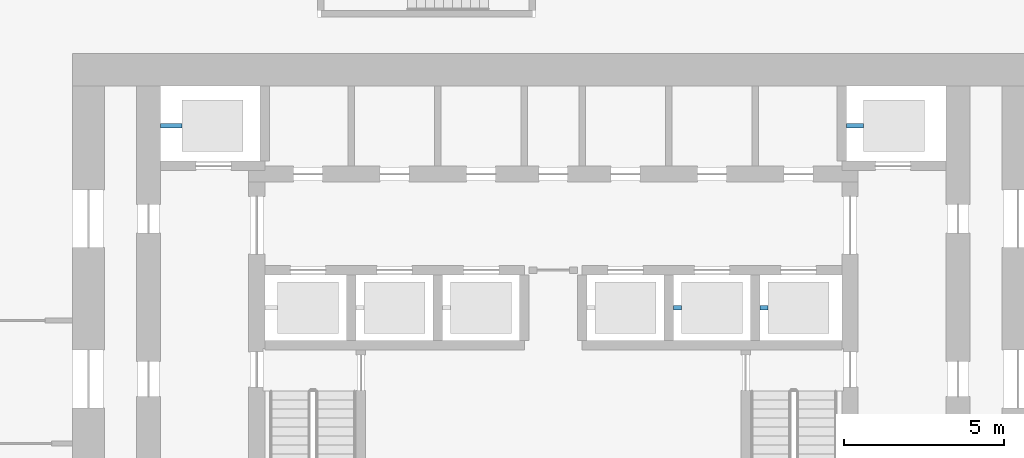
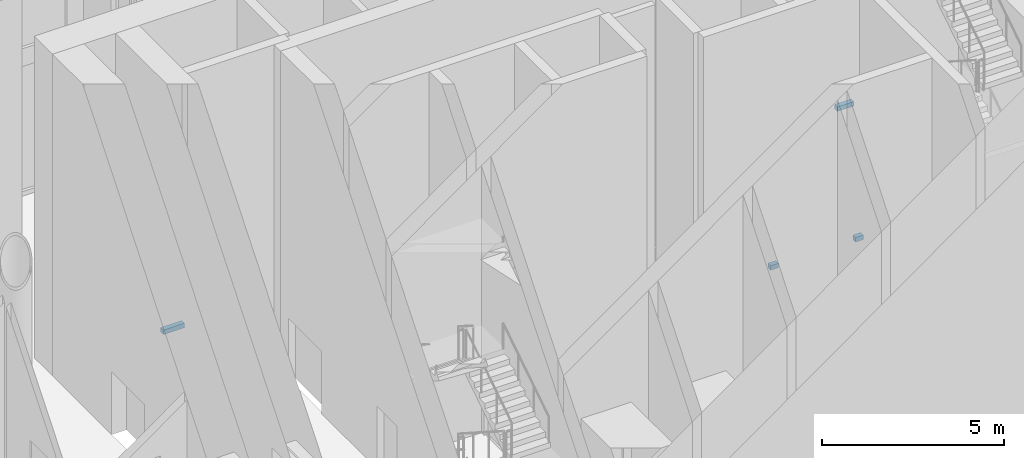
# One storey, part 15 of 18: 4 discrete accessories.
"""IFC4 building model written with IfcOpenShell, lengths in metres."""

import ifcopenshell
import ifcopenshell.guid

model = None  # the IFC model being written
_history = None  # IfcOwnerHistory: only IFC2X3 demands one
_inside = {}  # id of a spatial element -> (the spatial element, [elements in it])
_under = {}  # id of a project, library or spatial element -> (it, [spatial elements below it])
_declared = {}  # id of a project -> (the project, [libraries it declares])
_typed = {}  # id of a type object -> (the type object, [elements of that type])
_made_of = {}  # id of a material, layer set ... -> (it, [elements and type objects made of it])


def new_model(schema):
    """Start an empty IFC model of exactly this schema.

    Asked for "IFC4X3", IfcOpenShell would pick the latest addendum, in which some entities
    have other attributes; the version numbers below select the first issue.
    IFC2X3 requires an IfcOwnerHistory on every rooted entity: one is made here for all.
    """
    global model, _history
    if schema == "IFC4X3":
        model = ifcopenshell.file(schema_version=(4, 3, 0, 0))
    else:
        model = ifcopenshell.file(schema=schema)
    _inside.clear()
    _under.clear()
    _declared.clear()
    _typed.clear()
    _made_of.clear()
    _history = None
    if model.schema == "IFC2X3":
        org = make("IfcOrganization", Name="unknown")
        user = make(
            "IfcPersonAndOrganization",
            ThePerson=make("IfcPerson", FamilyName="unknown"),
            TheOrganization=org,
        )
        app = make(
            "IfcApplication",
            ApplicationDeveloper=org,
            Version="unknown",
            ApplicationFullName="unknown",
            ApplicationIdentifier="unknown",
        )
        _history = make(
            "IfcOwnerHistory",
            OwningUser=user,
            OwningApplication=app,
            ChangeAction="ADDED",
            CreationDate=0,
        )
    return model


def make(cls, **values):
    """One entity of the class cls with the attributes given. An attribute that is None is left unset."""
    return model.create_entity(
        cls, **{name: value for name, value in values.items() if value is not None}
    )


def rooted(cls, **values):
    """An entity with a GlobalId (a new one), such as an element, a storey or a relation."""
    return make(cls, GlobalId=ifcopenshell.guid.new(), OwnerHistory=_history, **values)


def si_unit(unit_type, name, prefix=None):
    """IfcSIUnit, for example si_unit("LENGTHUNIT", "METRE", prefix="MILLI")."""
    return make("IfcSIUnit", UnitType=unit_type, Prefix=prefix, Name=name)


def assignment(units):
    """IfcUnitAssignment: the units of a project."""
    return None if units is None else make("IfcUnitAssignment", Units=units)


def point(xyz):
    """IfcCartesianPoint."""
    return None if xyz is None else make("IfcCartesianPoint", Coordinates=xyz)


def direction(xyz):
    """IfcDirection."""
    return None if xyz is None else make("IfcDirection", DirectionRatios=xyz)


def frame(location, z_axis=None, x_axis=None):
    """IfcAxis2Placement3D, a coordinate frame: its origin and axes. An axis left out is left unset."""
    return make(
        "IfcAxis2Placement3D",
        Location=point(location),
        Axis=direction(z_axis),
        RefDirection=direction(x_axis),
    )


def frame_2d(location, x_axis=None):
    """IfcAxis2Placement2D, a coordinate frame in the plane: its origin and x axis."""
    return make(
        "IfcAxis2Placement2D", Location=point(location), RefDirection=direction(x_axis)
    )


def origin():
    """The frame at (0, 0, 0) with its axes left unset."""
    return frame((0.0, 0.0, 0.0))


def origin_2d():
    """The frame at (0, 0) in the plane with its x axis left unset."""
    return frame_2d((0.0, 0.0))


def place(relative_to, where):
    """IfcLocalPlacement: puts the frame where relative to a parent placement (None: the world)."""
    return make(
        "IfcLocalPlacement", PlacementRelTo=relative_to, RelativePlacement=where
    )


def context(
    kind, dimensions, precision=None, world=None, true_north=None, identifier=None
):
    """IfcGeometricRepresentationContext, for example the 3D "Model" context."""
    return make(
        "IfcGeometricRepresentationContext",
        ContextIdentifier=identifier,
        ContextType=kind,
        CoordinateSpaceDimension=dimensions,
        Precision=precision,
        WorldCoordinateSystem=world,
        TrueNorth=true_north,
    )


def subcontext(parent, identifier, kind, view, scale=None):
    """IfcGeometricRepresentationSubContext, for example "Body" below "Model"."""
    return make(
        "IfcGeometricRepresentationSubContext",
        ContextIdentifier=identifier,
        ContextType=kind,
        ParentContext=parent,
        TargetScale=scale,
        TargetView=view,
    )


def project(units=None, contexts=None):
    """IfcProject with its units and contexts."""
    return rooted(
        "IfcProject",
        Name="project",
        RepresentationContexts=contexts,
        UnitsInContext=assignment(units),
    )


def spatial(cls, under=None, at=None, **own):
    """A site, building, storey or space (cls), placed at a placement, below another one or the project."""
    s = rooted(cls, ObjectPlacement=at, **own)
    if under is not None:
        _under.setdefault(under.id(), (under, []))[1].append(s)
    return s


def profile(cls, at=None, kind="AREA", **sizes):
    """A parametric profile (cls). Its sizes go by their IFC names, for example OverallWidth=200.0."""
    return make(cls, ProfileType=kind, Position=at, **sizes)


def rectangle(**sizes):
    """IfcRectangleProfileDef."""
    return profile("IfcRectangleProfileDef", **sizes)


def extrude(swept, where, along, depth):
    """IfcExtrudedAreaSolid: the profile swept, set in the frame where, extruded along a direction by depth."""
    return make(
        "IfcExtrudedAreaSolid",
        SweptArea=swept,
        Position=where,
        ExtrudedDirection=direction(along),
        Depth=depth,
    )


def shape(context_of_items, identifier, shape_type, items):
    """IfcShapeRepresentation: the items that make up one representation, for example the "Body"."""
    return make(
        "IfcShapeRepresentation",
        ContextOfItems=context_of_items,
        RepresentationIdentifier=identifier,
        RepresentationType=shape_type,
        Items=items,
    )


def made_of(thing, what):
    """Note that an element or type object is made of a material, layer set ...; save() writes the relation."""
    if what is not None:
        _made_of.setdefault(what.id(), (what, []))[1].append(thing)
    return thing


def element(
    cls,
    number,
    at=None,
    inside=None,
    cuts=None,
    type_object=None,
    material=None,
    context=None,
    identifier="Body",
    shape_type=None,
    held_by="IfcProductDefinitionShape",
    body=None,
    shapes=None,
    **own,
):
    """One element of the class cls, such as IfcWall. Its Tag is "e" and its number.

    at: its placement. inside: the storey or other place that contains it. cuts: it is an
    opening in that element (IfcRelVoidsElement). A single representation is given by context,
    identifier, shape_type and body (its items); several are given by shapes. held_by: the class
    of the entity that holds the representations. save() writes the other relations.
    """
    e = rooted(cls, Tag="e%d" % number, ObjectPlacement=at, **own)
    if body is not None:
        shapes = [shape(context, identifier, shape_type, body)]
    if shapes is not None:
        e.Representation = make(held_by, Representations=shapes)
    if inside is not None:
        _inside.setdefault(inside.id(), (inside, []))[1].append(e)
    if cuts is not None:
        rooted(
            "IfcRelVoidsElement", RelatingBuildingElement=cuts, RelatedOpeningElement=e
        )
    if type_object is not None:
        _typed.setdefault(type_object.id(), (type_object, []))[1].append(e)
    return made_of(e, material)


def aggregate(whole, parts):
    """IfcRelAggregates: a whole, such as a stair, and the parts it consists of."""
    return rooted("IfcRelAggregates", RelatingObject=whole, RelatedObjects=parts)


def save(model, path):
    """Write the relations noted so far, then the file.

    IfcRelAggregates (storeys below a building ...), IfcRelContainedInSpatialStructure (elements
    in a storey), IfcRelDefinesByType, IfcRelAssociatesMaterial and IfcRelDeclares: one each for
    every whole, place, type object, material and project.
    """
    for whole, parts in _under.values():
        aggregate(whole, parts)
    for where, things in _inside.values():
        rooted(
            "IfcRelContainedInSpatialStructure",
            RelatedElements=things,
            RelatingStructure=where,
        )
    for kind, things in _typed.values():
        rooted("IfcRelDefinesByType", RelatedObjects=things, RelatingType=kind)
    for what, things in _made_of.values():
        rooted("IfcRelAssociatesMaterial", RelatedObjects=things, RelatingMaterial=what)
    for by, libraries in _declared.values():
        rooted("IfcRelDeclares", RelatingContext=by, RelatedDefinitions=libraries)
    model.write(path)


model = new_model("IFC4")

# Units and contexts
model_context = context("Model", 3, precision=1e-05, world=origin(), true_north=direction((0.0, 1.0)))
body_context = subcontext(model_context, "Body", "Model", "MODEL_VIEW")
ifc_project = project(units=[si_unit("LENGTHUNIT", "METRE"), si_unit("AREAUNIT", "SQUARE_METRE"), si_unit("VOLUMEUNIT", "CUBIC_METRE"), si_unit("PLANEANGLEUNIT", "RADIAN"), si_unit("MASSUNIT", "GRAM", prefix="KILO")], contexts=[model_context])

# Site, building, storey
site_placement = place(None, origin())
site = spatial("IfcSite", under=ifc_project, at=site_placement, CompositionType="ELEMENT")
building_placement = place(site_placement, origin())
building = spatial("IfcBuilding", under=site, at=building_placement, Name="Tskaro Facet Tower", CompositionType="ELEMENT")
storey_placement = place(building_placement, origin())
storey = spatial("IfcBuildingStorey", under=building, at=storey_placement, Name="L00", CompositionType="ELEMENT", Elevation=0.0)

# Discrete accessories
for number, where, z_axis, x_axis, name in (
    (1, (3.875, -3.77490234375, 1.22509765625), (0.0, 0.0, 1.0), (1.0, 0.0, 0.0), "Car guide bracket LR5"),
    (2, (6.574951171875, -3.77490234375, 1.22509765625), (0.0, 0.0, 1.0), (1.0, 0.0, 0.0), "Car guide bracket LR6"),
):
    element("IfcDiscreteAccessory", number, at=place(storey_placement, frame(where, z_axis=z_axis, x_axis=x_axis)), inside=storey, Name=name, PredefinedType="BRACKET", context=body_context, shape_type="SweptSolid", body=[
        extrude(rectangle(XDim=0.25, YDim=0.14990234375, at=origin_2d()), origin(), (0.0, 0.0, 1.0), 0.14990234375),
    ])
discrete_accessory_1_placement = place(storey_placement, frame((-11.91259765625, 1.89990234375, 1.22509765625), z_axis=(0.0, 0.0, 1.0), x_axis=(1.0, 0.0, 0.0)))
element("IfcDiscreteAccessory", 3, at=discrete_accessory_1_placement, inside=storey, Name="Car guide bracket SH3", PredefinedType="BRACKET", context=body_context, shape_type="SweptSolid", body=[
    extrude(rectangle(XDim=0.675048828125, YDim=0.14990234375, at=origin_2d()), origin(), (0.0, 0.0, 1.0), 0.14990234375),
])
discrete_accessory_2_placement = place(storey_placement, frame((9.41259765625, 1.89990234375, 1.22509765625), z_axis=(0.0, 0.0, 1.0), x_axis=(1.0, 0.0, 0.0)))
element("IfcDiscreteAccessory", 4, at=discrete_accessory_2_placement, inside=storey, Name="Car guide bracket SH4", PredefinedType="BRACKET", context=body_context, shape_type="SweptSolid", body=[
    extrude(rectangle(XDim=0.52490234375, YDim=0.14990234375, at=origin_2d()), origin(), (0.0, 0.0, 1.0), 0.14990234375),
])

save(model, "model.ifc")
